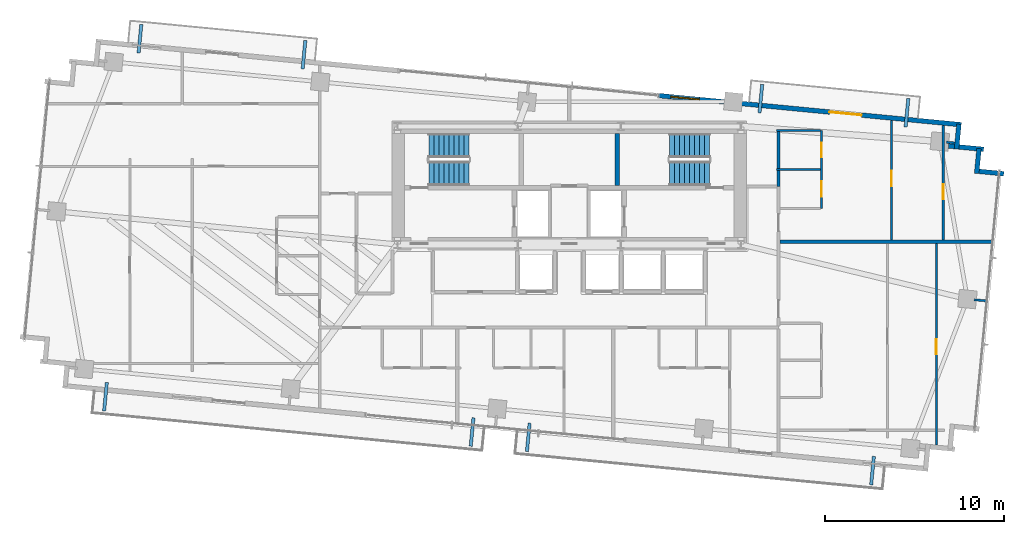
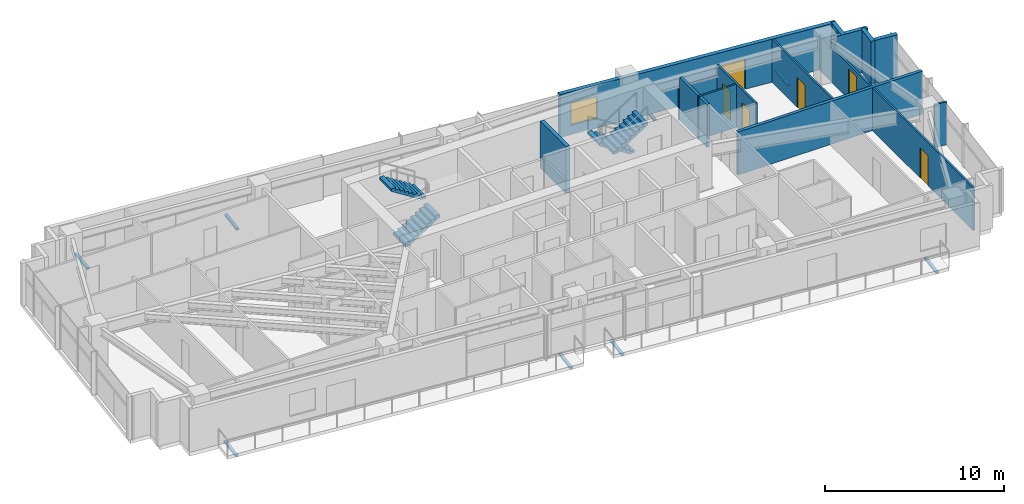
# One storey, part 17 of 19: 17 walls, 8 discrete accessories, 6 doors, 4 stair flights, 1 window, 7 openings, 2 elements without a shape of their own.
"""IFC4 building model written with IfcOpenShell, lengths in metres."""

import ifcopenshell
import ifcopenshell.guid

model = None  # the IFC model being written
_history = None  # IfcOwnerHistory: only IFC2X3 demands one
_inside = {}  # id of a spatial element -> (the spatial element, [elements in it])
_under = {}  # id of a project, library or spatial element -> (it, [spatial elements below it])
_declared = {}  # id of a project -> (the project, [libraries it declares])
_typed = {}  # id of a type object -> (the type object, [elements of that type])
_made_of = {}  # id of a material, layer set ... -> (it, [elements and type objects made of it])


def new_model(schema):
    """Start an empty IFC model of exactly this schema.

    Asked for "IFC4X3", IfcOpenShell would pick the latest addendum, in which some entities
    have other attributes; the version numbers below select the first issue.
    IFC2X3 requires an IfcOwnerHistory on every rooted entity: one is made here for all.
    """
    global model, _history
    if schema == "IFC4X3":
        model = ifcopenshell.file(schema_version=(4, 3, 0, 0))
    else:
        model = ifcopenshell.file(schema=schema)
    _inside.clear()
    _under.clear()
    _declared.clear()
    _typed.clear()
    _made_of.clear()
    _history = None
    if model.schema == "IFC2X3":
        org = make("IfcOrganization", Name="unknown")
        user = make(
            "IfcPersonAndOrganization",
            ThePerson=make("IfcPerson", FamilyName="unknown"),
            TheOrganization=org,
        )
        app = make(
            "IfcApplication",
            ApplicationDeveloper=org,
            Version="unknown",
            ApplicationFullName="unknown",
            ApplicationIdentifier="unknown",
        )
        _history = make(
            "IfcOwnerHistory",
            OwningUser=user,
            OwningApplication=app,
            ChangeAction="ADDED",
            CreationDate=0,
        )
    return model


def make(cls, **values):
    """One entity of the class cls with the attributes given. An attribute that is None is left unset."""
    return model.create_entity(
        cls, **{name: value for name, value in values.items() if value is not None}
    )


def rooted(cls, **values):
    """An entity with a GlobalId (a new one), such as an element, a storey or a relation."""
    return make(cls, GlobalId=ifcopenshell.guid.new(), OwnerHistory=_history, **values)


def si_unit(unit_type, name, prefix=None):
    """IfcSIUnit, for example si_unit("LENGTHUNIT", "METRE", prefix="MILLI")."""
    return make("IfcSIUnit", UnitType=unit_type, Prefix=prefix, Name=name)


def assignment(units):
    """IfcUnitAssignment: the units of a project."""
    return None if units is None else make("IfcUnitAssignment", Units=units)


def point(xyz):
    """IfcCartesianPoint."""
    return None if xyz is None else make("IfcCartesianPoint", Coordinates=xyz)


def direction(xyz):
    """IfcDirection."""
    return None if xyz is None else make("IfcDirection", DirectionRatios=xyz)


def frame(location, z_axis=None, x_axis=None):
    """IfcAxis2Placement3D, a coordinate frame: its origin and axes. An axis left out is left unset."""
    return make(
        "IfcAxis2Placement3D",
        Location=point(location),
        Axis=direction(z_axis),
        RefDirection=direction(x_axis),
    )


def frame_2d(location, x_axis=None):
    """IfcAxis2Placement2D, a coordinate frame in the plane: its origin and x axis."""
    return make(
        "IfcAxis2Placement2D", Location=point(location), RefDirection=direction(x_axis)
    )


def origin():
    """The frame at (0, 0, 0) with its axes left unset."""
    return frame((0.0, 0.0, 0.0))


def origin_2d():
    """The frame at (0, 0) in the plane with its x axis left unset."""
    return frame_2d((0.0, 0.0))


def place(relative_to, where):
    """IfcLocalPlacement: puts the frame where relative to a parent placement (None: the world)."""
    return make(
        "IfcLocalPlacement", PlacementRelTo=relative_to, RelativePlacement=where
    )


def context(
    kind, dimensions, precision=None, world=None, true_north=None, identifier=None
):
    """IfcGeometricRepresentationContext, for example the 3D "Model" context."""
    return make(
        "IfcGeometricRepresentationContext",
        ContextIdentifier=identifier,
        ContextType=kind,
        CoordinateSpaceDimension=dimensions,
        Precision=precision,
        WorldCoordinateSystem=world,
        TrueNorth=true_north,
    )


def subcontext(parent, identifier, kind, view, scale=None):
    """IfcGeometricRepresentationSubContext, for example "Body" below "Model"."""
    return make(
        "IfcGeometricRepresentationSubContext",
        ContextIdentifier=identifier,
        ContextType=kind,
        ParentContext=parent,
        TargetScale=scale,
        TargetView=view,
    )


def project(units=None, contexts=None):
    """IfcProject with its units and contexts."""
    return rooted(
        "IfcProject",
        Name="project",
        RepresentationContexts=contexts,
        UnitsInContext=assignment(units),
    )


def spatial(cls, under=None, at=None, **own):
    """A site, building, storey or space (cls), placed at a placement, below another one or the project."""
    s = rooted(cls, ObjectPlacement=at, **own)
    if under is not None:
        _under.setdefault(under.id(), (under, []))[1].append(s)
    return s


def polyline(points):
    """IfcPolyline through the points."""
    return make("IfcPolyline", Points=[point(p) for p in points])


def profile(cls, at=None, kind="AREA", **sizes):
    """A parametric profile (cls). Its sizes go by their IFC names, for example OverallWidth=200.0."""
    return make(cls, ProfileType=kind, Position=at, **sizes)


def rectangle(**sizes):
    """IfcRectangleProfileDef."""
    return profile("IfcRectangleProfileDef", **sizes)


def outline(outer, holes=None, kind="AREA"):
    """IfcArbitraryClosedProfileDef: a profile drawn as a closed curve; with holes, ...WithVoids."""
    if holes is None:
        return make("IfcArbitraryClosedProfileDef", ProfileType=kind, OuterCurve=outer)
    return make(
        "IfcArbitraryProfileDefWithVoids",
        ProfileType=kind,
        OuterCurve=outer,
        InnerCurves=holes,
    )


def extrude(swept, where, along, depth):
    """IfcExtrudedAreaSolid: the profile swept, set in the frame where, extruded along a direction by depth."""
    return make(
        "IfcExtrudedAreaSolid",
        SweptArea=swept,
        Position=where,
        ExtrudedDirection=direction(along),
        Depth=depth,
    )


def shape(context_of_items, identifier, shape_type, items):
    """IfcShapeRepresentation: the items that make up one representation, for example the "Body"."""
    return make(
        "IfcShapeRepresentation",
        ContextOfItems=context_of_items,
        RepresentationIdentifier=identifier,
        RepresentationType=shape_type,
        Items=items,
    )


def source(mapping_origin, context_of_items, identifier, shape_type, items):
    """IfcRepresentationMap: a shape defined once, which mapped items show again and again."""
    return make(
        "IfcRepresentationMap",
        MappingOrigin=mapping_origin,
        MappedRepresentation=shape(context_of_items, identifier, shape_type, items),
    )


def transform(
    local_origin,
    x_axis=None,
    y_axis=None,
    z_axis=None,
    scale=None,
    scale2=None,
    scale3=None,
    uniform=True,
):
    """IfcCartesianTransformationOperator3D, or its non-uniform kind. x_axis, y_axis, z_axis: its Axis1, 2, 3."""
    if uniform:
        return make(
            "IfcCartesianTransformationOperator3D",
            Axis1=direction(x_axis),
            Axis2=direction(y_axis),
            LocalOrigin=point(local_origin),
            Scale=scale,
            Axis3=direction(z_axis),
        )
    return make(
        "IfcCartesianTransformationOperator3DnonUniform",
        Axis1=direction(x_axis),
        Axis2=direction(y_axis),
        LocalOrigin=point(local_origin),
        Scale=scale,
        Axis3=direction(z_axis),
        Scale2=scale2,
        Scale3=scale3,
    )


def mapped(mapping_source, mapping_target):
    """IfcMappedItem: shows the shape of a source again, moved by a transform."""
    return make(
        "IfcMappedItem", MappingSource=mapping_source, MappingTarget=mapping_target
    )


def material(Name=None, Category=None):
    """IfcMaterial."""
    return make("IfcMaterial", Name=Name, Category=Category)


def layer(
    of_material, thickness, ventilated=None, Name=None, Category=None, Priority=None
):
    """IfcMaterialLayer: one layer of a wall or slab, of a material (None: an air gap)."""
    return make(
        "IfcMaterialLayer",
        Material=of_material,
        LayerThickness=thickness,
        IsVentilated=ventilated,
        Name=Name,
        Category=Category,
        Priority=Priority,
    )


def layer_set(layers, Name=None):
    """IfcMaterialLayerSet."""
    return make("IfcMaterialLayerSet", MaterialLayers=layers, LayerSetName=Name)


def made_of(thing, what):
    """Note that an element or type object is made of a material, layer set ...; save() writes the relation."""
    if what is not None:
        _made_of.setdefault(what.id(), (what, []))[1].append(thing)
    return thing


def type_object(cls, material=None, **own):
    """A type object (cls), such as IfcWallType, which elements share."""
    return made_of(rooted(cls, **own), material)


def type_shapes(of_type, sources):
    """Give a type object the sources (RepresentationMaps) that its elements show as mapped items."""
    of_type.RepresentationMaps = sources


def element(
    cls,
    number,
    at=None,
    inside=None,
    cuts=None,
    type_object=None,
    material=None,
    context=None,
    identifier="Body",
    shape_type=None,
    held_by="IfcProductDefinitionShape",
    body=None,
    shapes=None,
    **own,
):
    """One element of the class cls, such as IfcWall. Its Tag is "e" and its number.

    at: its placement. inside: the storey or other place that contains it. cuts: it is an
    opening in that element (IfcRelVoidsElement). A single representation is given by context,
    identifier, shape_type and body (its items); several are given by shapes. held_by: the class
    of the entity that holds the representations. save() writes the other relations.
    """
    e = rooted(cls, Tag="e%d" % number, ObjectPlacement=at, **own)
    if body is not None:
        shapes = [shape(context, identifier, shape_type, body)]
    if shapes is not None:
        e.Representation = make(held_by, Representations=shapes)
    if inside is not None:
        _inside.setdefault(inside.id(), (inside, []))[1].append(e)
    if cuts is not None:
        rooted(
            "IfcRelVoidsElement", RelatingBuildingElement=cuts, RelatedOpeningElement=e
        )
    if type_object is not None:
        _typed.setdefault(type_object.id(), (type_object, []))[1].append(e)
    return made_of(e, material)


def fill(opening, filler):
    """IfcRelFillsElement: the door or window that sits in an opening."""
    return rooted(
        "IfcRelFillsElement",
        RelatingOpeningElement=opening,
        RelatedBuildingElement=filler,
    )


def aggregate(whole, parts):
    """IfcRelAggregates: a whole, such as a stair, and the parts it consists of."""
    return rooted("IfcRelAggregates", RelatingObject=whole, RelatedObjects=parts)


def save(model, path):
    """Write the relations noted so far, then the file.

    IfcRelAggregates (storeys below a building ...), IfcRelContainedInSpatialStructure (elements
    in a storey), IfcRelDefinesByType, IfcRelAssociatesMaterial and IfcRelDeclares: one each for
    every whole, place, type object, material and project.
    """
    for whole, parts in _under.values():
        aggregate(whole, parts)
    for where, things in _inside.values():
        rooted(
            "IfcRelContainedInSpatialStructure",
            RelatedElements=things,
            RelatingStructure=where,
        )
    for kind, things in _typed.values():
        rooted("IfcRelDefinesByType", RelatedObjects=things, RelatingType=kind)
    for what, things in _made_of.values():
        rooted("IfcRelAssociatesMaterial", RelatedObjects=things, RelatingMaterial=what)
    for by, libraries in _declared.values():
        rooted("IfcRelDeclares", RelatingContext=by, RelatedDefinitions=libraries)
    model.write(path)


model = new_model("IFC4")

# Units and contexts
model_context = context("Model", 3, precision=1e-05, world=origin(), true_north=direction((0.0, 1.0)))
body_context = subcontext(model_context, "Body", "Model", "MODEL_VIEW")
ifc_project = project(units=[si_unit("LENGTHUNIT", "METRE"), si_unit("AREAUNIT", "SQUARE_METRE"), si_unit("VOLUMEUNIT", "CUBIC_METRE"), si_unit("PLANEANGLEUNIT", "RADIAN"), si_unit("MASSUNIT", "GRAM", prefix="KILO")], contexts=[model_context])

# Site, building, storey
site_placement = place(None, origin())
site = spatial("IfcSite", under=ifc_project, at=site_placement, CompositionType="ELEMENT")
building_placement = place(site_placement, origin())
building = spatial("IfcBuilding", under=site, at=building_placement, Name="Astriad Promenade Condominiums", CompositionType="ELEMENT")
storey_placement = place(building_placement, frame((0.0, 0.0, 147.0)))
storey = spatial("IfcBuildingStorey", under=building, at=storey_placement, Name="L42", CompositionType="ELEMENT", Elevation=147.0)

# Walls
ifc_material_1 = material(Name="Concrete C50/60", Category="concrete")
ifc_layer_1 = layer(ifc_material_1, 0.25)
ifc_layer_set_1 = layer_set([ifc_layer_1], Name="Concrete C50/60")
wall_type_1 = type_object("IfcWallType", Name="WALL-CORE-INT-250", PredefinedType="SOLIDWALL", material=ifc_layer_set_1)
wall_1_placement = place(storey_placement, frame((38.675048828125, 20.701904296875, 0.0), z_axis=(0.0, 0.0, 1.0), x_axis=(0.0, 1.0, 0.0)))
element("IfcWall", 1, at=wall_1_placement, inside=storey, type_object=wall_type_1, Name="CW-ST2-W-L42", PredefinedType="SOLIDWALL", context=body_context, shape_type="SweptSolid", body=[
    extrude(rectangle(XDim=2.89599609375, YDim=0.25, at=frame_2d((1.447998046875, 0.0))), origin(), (0.0, 0.0, 1.0), 3.199951171875),
])
ifc_material_2 = material(Name="Fire-Rated Gypsum Partition")
ifc_layer_2 = layer(ifc_material_2, 0.159912109375)
ifc_layer_set_2 = layer_set([ifc_layer_2], Name="Fire-Rated Gypsum Partition")
wall_type_2 = type_object("IfcWallType", Name="WALL-CORR-160", PredefinedType="PARTITIONING", material=ifc_layer_set_2)
wall_2_placement = place(storey_placement, frame((47.699951171875, 20.64990234375, 0.0), z_axis=(0.0, 0.0, 1.0), x_axis=(0.0, 1.0, 0.0)))
element("IfcWall", 2, at=wall_2_placement, inside=storey, type_object=wall_type_2, Name="PT-L42-E2-PBK", PredefinedType="PARTITIONING", context=body_context, shape_type="SweptSolid", body=[
    extrude(rectangle(XDim=0.883056640625, YDim=0.159912109375, at=frame_2d((0.44140625, 0.0))), origin(), (0.0, 0.0, 1.0), 2.93994140625),
])
wall_3_placement = place(storey_placement, frame((47.699951171875, 21.656982421875, 0.0), z_axis=(0.0, 0.0, 1.0), x_axis=(0.0, 1.0, 0.0)))
element("IfcWall", 3, at=wall_3_placement, inside=storey, type_object=wall_type_2, Name="PT-L42-E2-PBK-S2", PredefinedType="PARTITIONING", context=body_context, shape_type="SweptSolid", body=[
    extrude(rectangle(XDim=2.051025390625, YDim=0.159912109375, at=frame_2d((1.025390625, 0.0))), origin(), (0.0, 0.0, 1.0), 2.93994140625),
])
ifc_material_3 = material(Name="Acoustic Double-Stud Gypsum Partition")
ifc_layer_3 = layer(ifc_material_3, 0.199951171875)
ifc_layer_set_3 = layer_set([ifc_layer_3], Name="Acoustic Double-Stud Gypsum Partition")
wall_type_3 = type_object("IfcWallType", Name="WALL-DEMISING-200", PredefinedType="PARTITIONING", material=ifc_layer_set_3)
wall_4_placement = place(storey_placement, frame((47.781982421875, 17.550048828125, 0.0), z_axis=(0.0, 0.0, 1.0), x_axis=(1.0, 0.0, 0.0)))
element("IfcWall", 4, at=wall_4_placement, inside=storey, type_object=wall_type_3, Name="PT-DEM-EE-L42", PredefinedType="PARTITIONING", context=body_context, shape_type="SweptSolid", body=[
    extrude(rectangle(XDim=11.933837890625, YDim=0.199951171875, at=frame_2d((5.966796875, 0.0))), origin(), (0.0, 0.0, 1.0), 2.93994140625),
])

# Wall, openings, door, window
ifc_material_4 = material(Name="Precast concrete C50/60", Category="concrete")
ifc_layer_4 = layer(ifc_material_4, 0.260009765625)
ifc_layer_set_4 = layer_set([ifc_layer_4], Name="Precast concrete C50/60")
wall_type_4 = type_object("IfcWallType", Name="WALL-EXT-TWR-260", PredefinedType="STANDARD", material=ifc_layer_set_4)
wall_5_placement = place(storey_placement, frame((40.9833984375, 25.726806640625, 0.0), z_axis=(0.0, 0.0, 1.0), x_axis=(0.995395844771, -0.095849424686, 0.0)))
wall_5 = element("IfcWall", 5, at=wall_5_placement, inside=storey, type_object=wall_type_4, Name="W-EXT-L42-N2", PredefinedType="STANDARD", context=body_context, shape_type="SweptSolid", body=[
    extrude(rectangle(XDim=17.009765625, YDim=0.260009765625, at=frame_2d((8.5048828125, 0.0))), origin(), (0.0, 0.0, 1.0), 2.93994140625),
])
opening_1_placement = place(wall_5_placement, frame((9.610107421875, 0.0, 0.0)))
opening_1 = element("IfcOpeningElement", 6, at=opening_1_placement, cuts=wall_5, Name="Opening BD-1822-SLD", PredefinedType="OPENING", context=body_context, shape_type="SweptSolid", body=[
    extrude(rectangle(XDim=1.800048828125, YDim=2.06005859375, at=frame_2d((0.89990234375, 1.030029296875))), frame((0.0, 0.139892578125, 0.0), z_axis=(0.0, -1.0, 0.0), x_axis=(1.0, 0.0, 0.0)), (0.0, 0.0, 1.0), 0.280029296875),
])
opening_2_placement = place(wall_5_placement, frame((0.699951171875, 0.0, 0.64990234375)))
opening_2 = element("IfcOpeningElement", 7, at=opening_2_placement, cuts=wall_5, Name="Opening WIN-TWR-1620", PredefinedType="OPENING", context=body_context, shape_type="SweptSolid", body=[
    extrude(rectangle(XDim=1.60009765625, YDim=1.5, at=frame_2d((0.800048828125, 0.75))), frame((0.0, 0.139892578125, 0.0), z_axis=(0.0, -1.0, 0.0), x_axis=(1.0, 0.0, 0.0)), (0.0, 0.0, 1.0), 0.280029296875),
])
ifc_material_5 = material(Name="Thermally Broken Aluminium Sliding Balcony Door", Category="aluminium")
door_type_1 = type_object("IfcDoorType", Name="BD-1822-SLD", OperationType="NOTDEFINED", PredefinedType="DOOR", material=ifc_material_5)
shared_shape_1 = source(origin(), body_context, "Body", "SweptSolid", [
    extrude(rectangle(XDim=1.800048828125, YDim=2.06005859375, at=frame_2d((0.89990234375, 1.030029296875))), frame((0.0, 0.02490234375, 0.0), z_axis=(0.0, -1.0, 0.0), x_axis=(1.0, 0.0, 0.0)), (0.0, 0.0, 1.0), 0.050048828125),
])
type_shapes(door_type_1, [shared_shape_1])
door_1_placement = place(opening_1_placement, origin())
door_1 = element("IfcDoor", 8, at=door_1_placement, inside=storey, type_object=door_type_1, Name="BD-L42-NE", OperationType="SLIDING_TO_RIGHT", OverallHeight=2.06005859375, OverallWidth=1.800048828125, PredefinedType="DOOR", context=body_context, shape_type="MappedRepresentation", body=[
    mapped(shared_shape_1, transform((0.0, 0.0, 0.0), scale=1.0)),
])
fill(opening_1, door_1)
ifc_material_6 = material(Name="Dark Tinted Triple-Glazed Aluminium Window", Category="aluminium")
window_type = type_object("IfcWindowType", Name="WIN-TWR-1620", PartitioningType="SINGLE_PANEL", PredefinedType="WINDOW", material=ifc_material_6)
shared_shape_2 = source(origin(), body_context, "Body", "SweptSolid", [
    extrude(rectangle(XDim=1.60009765625, YDim=1.5, at=frame_2d((0.800048828125, 0.75))), frame((0.0, 0.030029296875, 0.0), z_axis=(0.0, -1.0, 0.0), x_axis=(1.0, 0.0, 0.0)), (0.0, 0.0, 1.0), 0.06005859375),
])
type_shapes(window_type, [shared_shape_2])
window_placement = place(opening_2_placement, origin())
window = element("IfcWindow", 9, at=window_placement, inside=storey, type_object=window_type, Name="WIN-L42-NE", OverallHeight=1.5, OverallWidth=1.60009765625, PartitioningType="SINGLE_PANEL", PredefinedType="WINDOW", context=body_context, shape_type="MappedRepresentation", body=[
    mapped(shared_shape_2, transform((0.0, 0.0, 0.0), scale=1.0)),
])
fill(opening_2, window)

# Walls
wall_6_placement = place(storey_placement, frame((57.787109375, 24.123779296875, 0.0), z_axis=(0.0, 0.0, 1.0), x_axis=(-0.095915846097, -0.995389446633, 0.0)))
element("IfcWall", 10, at=wall_6_placement, inside=storey, type_object=wall_type_4, Name="W-SER-L42-09", PredefinedType="STANDARD", context=body_context, shape_type="SweptSolid", body=[
    extrude(rectangle(XDim=1.394775390625, YDim=0.260009765625, at=frame_2d((0.697265625, 0.0))), origin(), (0.0, 0.0, 1.0), 2.93994140625),
])
wall_7_placement = place(storey_placement, frame((57.199951171875, 22.909423828125, 0.0), z_axis=(0.0, 0.0, 1.0), x_axis=(0.995401789159, -0.095787672171, 0.0)))
element("IfcWall", 11, at=wall_7_placement, inside=storey, type_object=wall_type_4, Name="W-SER-L42-10", PredefinedType="STANDARD", context=body_context, shape_type="SweptSolid", body=[
    extrude(rectangle(XDim=1.977783203125, YDim=0.260009765625, at=frame_2d((0.98876953125, 0.0))), origin(), (0.0, 0.0, 1.0), 2.93994140625),
])
for number, where, z_axis, x_axis, name in (
    (12, (58.91162109375, 22.759765625, 0.0), (0.0, 0.0, 1.0), (-0.096072523012, -0.995374336781, 0.0), "W-SER-L42-11"),
    (13, (58.904541015625, 21.489501953125, 0.0), (0.0, 0.0, 1.0), (0.995391056452, -0.09589913835, 0.0), "W-SER-L42-12"),
):
    element("IfcWall", number, at=place(storey_placement, frame(where, z_axis=z_axis, x_axis=x_axis)), inside=storey, type_object=wall_type_4, Name=name, PredefinedType="STANDARD", context=body_context, shape_type="SweptSolid", body=[
        extrude(rectangle(XDim=1.39501953125, YDim=0.260009765625, at=frame_2d((0.697509765625, 0.0))), origin(), (0.0, 0.0, 1.0), 2.93994140625),
    ])

# Wall, opening, door
ifc_material_7 = material(Name="Acoustic Metal-Stud Gypsum Partition")
ifc_layer_5 = layer(ifc_material_7, 0.1201171875)
ifc_layer_set_5 = layer_set([ifc_layer_5], Name="Acoustic Metal-Stud Gypsum Partition")
wall_type_5 = type_object("IfcWallType", Name="WALL-PART-120", PredefinedType="PARTITIONING", material=ifc_layer_set_5)
wall_8_placement = place(storey_placement, frame((56.52587890625, 6.189208984375, 0.0), z_axis=(0.0, 0.0, 1.0), x_axis=(0.0, 1.0, 0.0)))
wall_8 = element("IfcWall", 14, at=wall_8_placement, inside=storey, type_object=wall_type_5, Name="PT-L42-E1-B1", PredefinedType="PARTITIONING", context=body_context, shape_type="SweptSolid", body=[
    extrude(rectangle(XDim=11.2587890625, YDim=0.1201171875, at=frame_2d((5.62939453125, 0.0))), origin(), (0.0, 0.0, 1.0), 2.93994140625),
])
opening_3_placement = place(wall_8_placement, frame((5.06396484375, 0.0, 0.0)))
opening_3 = element("IfcOpeningElement", 15, at=opening_3_placement, cuts=wall_8, Name="Opening D-INT-085", PredefinedType="OPENING", context=body_context, shape_type="SweptSolid", body=[
    extrude(rectangle(XDim=0.85009765625, YDim=2.050048828125, at=frame_2d((0.425048828125, 1.02490234375))), frame((0.0, 0.070068359375, 0.0), z_axis=(0.0, -1.0, 0.0), x_axis=(1.0, 0.0, 0.0)), (0.0, 0.0, 1.0), 0.14013671875),
])
ifc_material_8 = material(Name="Painted Solid-Core Timber Room Door", Category="wood")
door_type_2 = type_object("IfcDoorType", Name="D-INT-085", OperationType="NOTDEFINED", PredefinedType="DOOR", material=ifc_material_8)
shared_shape_3 = source(origin(), body_context, "Body", "SweptSolid", [
    extrude(rectangle(XDim=0.85009765625, YDim=2.050048828125, at=frame_2d((0.425048828125, 1.02490234375))), frame((0.0, 0.02490234375, 0.0), z_axis=(0.0, -1.0, 0.0), x_axis=(1.0, 0.0, 0.0)), (0.0, 0.0, 1.0), 0.050048828125),
])
type_shapes(door_type_2, [shared_shape_3])
door_2_placement = place(opening_3_placement, origin())
door_2 = element("IfcDoor", 16, at=door_2_placement, inside=storey, type_object=door_type_2, Name="D-BD1-L42-E1", OperationType="SINGLE_SWING_LEFT", OverallHeight=2.050048828125, OverallWidth=0.85009765625, PredefinedType="DOOR", context=body_context, shape_type="MappedRepresentation", body=[
    mapped(shared_shape_3, transform((0.0, 0.0, 0.0), scale=1.0)),
])
fill(opening_3, door_2)

# Wall, openings, doors
wall_9_placement = place(storey_placement, frame((50.10009765625, 19.419921875, 0.0), z_axis=(0.0, 0.0, 1.0), x_axis=(0.0, 1.0, 0.0)))
wall_9 = element("IfcWall", 17, at=wall_9_placement, inside=storey, type_object=wall_type_5, Name="PT-L42-E2-PV", PredefinedType="PARTITIONING", context=body_context, shape_type="SweptSolid", body=[
    extrude(rectangle(XDim=4.35009765625, YDim=0.1201171875, at=frame_2d((2.175048828125, 0.0))), origin(), (0.0, 0.0, 1.0), 2.93994140625),
])
opening_4_placement = place(wall_9_placement, frame((0.6630859375, 0.0, 0.0)))
opening_4 = element("IfcOpeningElement", 18, at=opening_4_placement, cuts=wall_9, Name="Opening D-INT-085", PredefinedType="OPENING", context=body_context, shape_type="SweptSolid", body=[
    extrude(rectangle(XDim=0.85009765625, YDim=2.050048828125, at=frame_2d((0.425048828125, 1.02490234375))), frame((0.0, 0.070068359375, 0.0), z_axis=(0.0, -1.0, 0.0), x_axis=(1.0, 0.0, 0.0)), (0.0, 0.0, 1.0), 0.14013671875),
])
opening_5_placement = place(wall_9_placement, frame((2.862060546875, 0.0, 0.0)))
opening_5 = element("IfcOpeningElement", 19, at=opening_5_placement, cuts=wall_9, Name="Opening D-WET-080", PredefinedType="OPENING", context=body_context, shape_type="SweptSolid", body=[
    extrude(rectangle(XDim=0.800048828125, YDim=2.02001953125, at=frame_2d((0.39990234375, 1.010009765625))), frame((0.0, 0.070068359375, 0.0), z_axis=(0.0, -1.0, 0.0), x_axis=(1.0, 0.0, 0.0)), (0.0, 0.0, 1.0), 0.14013671875),
])
ifc_material_9 = material(Name="Moisture-Resistant Timber Bathroom Door", Category="wood")
door_type_3 = type_object("IfcDoorType", Name="D-WET-080", OperationType="NOTDEFINED", PredefinedType="DOOR", material=ifc_material_9)
shared_shape_4 = source(origin(), body_context, "Body", "SweptSolid", [
    extrude(rectangle(XDim=0.800048828125, YDim=2.02001953125, at=frame_2d((0.39990234375, 1.010009765625))), frame((0.0, 0.02490234375, 0.0), z_axis=(0.0, -1.0, 0.0), x_axis=(1.0, 0.0, 0.0)), (0.0, 0.0, 1.0), 0.050048828125),
])
type_shapes(door_type_3, [shared_shape_4])
door_3_placement = place(opening_5_placement, origin())
door_3 = element("IfcDoor", 20, at=door_3_placement, inside=storey, type_object=door_type_3, Name="D-BTH-L42-E2", OperationType="SINGLE_SWING_RIGHT", OverallHeight=2.02001953125, OverallWidth=0.800048828125, PredefinedType="DOOR", context=body_context, shape_type="MappedRepresentation", body=[
    mapped(shared_shape_4, transform((0.0, 0.0, 0.0), scale=1.0)),
])
fill(opening_5, door_3)
door_4_placement = place(opening_4_placement, origin())
door_4 = element("IfcDoor", 21, at=door_4_placement, inside=storey, type_object=door_type_2, Name="D-KIT-L42-E2", OperationType="SINGLE_SWING_LEFT", OverallHeight=2.050048828125, OverallWidth=0.85009765625, PredefinedType="DOOR", context=body_context, shape_type="MappedRepresentation", body=[
    mapped(shared_shape_3, transform((0.0, 0.0, 0.0), scale=1.0)),
])
fill(opening_4, door_4)

# Walls
wall_10_placement = place(storey_placement, frame((47.580078125, 21.594970703125, 0.0), z_axis=(0.0, 0.0, 1.0), x_axis=(1.0, 0.0, 0.0)))
element("IfcWall", 22, at=wall_10_placement, inside=storey, type_object=wall_type_5, Name="PT-L42-E2-PM", PredefinedType="PARTITIONING", context=body_context, shape_type="SweptSolid", body=[
    extrude(rectangle(XDim=2.4580078125, YDim=0.1201171875, at=frame_2d((1.22900390625, 0.0))), origin(), (0.0, 0.0, 1.0), 2.93994140625),
])
wall_11_placement = place(storey_placement, frame((47.580078125, 23.77001953125, 0.0), z_axis=(0.0, 0.0, 1.0), x_axis=(1.0, 0.0, 0.0)))
element("IfcWall", 23, at=wall_11_placement, inside=storey, type_object=wall_type_5, Name="PT-L42-E2-PN", PredefinedType="PARTITIONING", context=body_context, shape_type="SweptSolid", body=[
    extrude(rectangle(XDim=2.4580078125, YDim=0.1201171875, at=frame_2d((1.22900390625, 0.0))), origin(), (0.0, 0.0, 1.0), 2.215576171875),
])

# Wall, opening, door
wall_12_placement = place(storey_placement, frame((56.910888671875, 17.652099609375, 0.0), z_axis=(0.0, 0.0, 1.0), x_axis=(0.0, 1.0, 0.0)))
wall_12 = element("IfcWall", 24, at=wall_12_placement, inside=storey, type_object=wall_type_5, Name="PT-L42-E2-B1", PredefinedType="PARTITIONING", context=body_context, shape_type="SweptSolid", body=[
    extrude(rectangle(XDim=6.408447265625, YDim=0.1201171875, at=frame_2d((3.2041015625, 0.0))), origin(), (0.0, 0.0, 1.0), 2.382568359375),
])
opening_6_placement = place(wall_12_placement, frame((2.26611328125, 0.0, 0.0)))
opening_6 = element("IfcOpeningElement", 25, at=opening_6_placement, cuts=wall_12, Name="Opening D-INT-085", PredefinedType="OPENING", context=body_context, shape_type="SweptSolid", body=[
    extrude(rectangle(XDim=0.85009765625, YDim=2.050048828125, at=frame_2d((0.425048828125, 1.02490234375))), frame((0.0, 0.070068359375, 0.0), z_axis=(0.0, -1.0, 0.0), x_axis=(1.0, 0.0, 0.0)), (0.0, 0.0, 1.0), 0.14013671875),
])
door_5_placement = place(opening_6_placement, origin())
door_5 = element("IfcDoor", 26, at=door_5_placement, inside=storey, type_object=door_type_2, Name="D-BD1-L42-E2", OperationType="SINGLE_SWING_LEFT", OverallHeight=2.050048828125, OverallWidth=0.85009765625, PredefinedType="DOOR", context=body_context, shape_type="MappedRepresentation", body=[
    mapped(shared_shape_3, transform((0.0, 0.0, 0.0), scale=1.0)),
])
fill(opening_6, door_5)

wall_13_placement = place(storey_placement, frame((54.01611328125, 17.652099609375, 0.0), z_axis=(0.0, 0.0, 1.0), x_axis=(0.0, 1.0, 0.0)))
wall_13 = element("IfcWall", 27, at=wall_13_placement, inside=storey, type_object=wall_type_5, Name="PT-L42-E2-WDV1", PredefinedType="PARTITIONING", context=body_context, shape_type="SweptSolid", body=[
    extrude(rectangle(XDim=6.68701171875, YDim=0.1201171875, at=frame_2d((3.343505859375, 0.0))), origin(), (0.0, 0.0, 1.0), 2.93994140625),
])
opening_7_placement = place(wall_13_placement, frame((3.01611328125, 0.0, 0.0)))
opening_7 = element("IfcOpeningElement", 28, at=opening_7_placement, cuts=wall_13, Name="Opening D-INT-085", PredefinedType="OPENING", context=body_context, shape_type="SweptSolid", body=[
    extrude(rectangle(XDim=0.85009765625, YDim=2.050048828125, at=frame_2d((0.425048828125, 1.02490234375))), frame((0.0, 0.070068359375, 0.0), z_axis=(0.0, -1.0, 0.0), x_axis=(1.0, 0.0, 0.0)), (0.0, 0.0, 1.0), 0.14013671875),
])
door_6_placement = place(opening_7_placement, origin())
door_6 = element("IfcDoor", 29, at=door_6_placement, inside=storey, type_object=door_type_2, Name="D-WDV1-L42-E2", OperationType="SINGLE_SWING_RIGHT", OverallHeight=2.050048828125, OverallWidth=0.85009765625, PredefinedType="DOOR", context=body_context, shape_type="MappedRepresentation", body=[
    mapped(shared_shape_3, transform((0.0, 0.0, 0.0), scale=1.0)),
])
fill(opening_7, door_6)

# Walls
wall_14_placement = place(storey_placement, frame((57.09765625, 23.120361328125, 0.0), z_axis=(0.0, 0.0, 1.0), x_axis=(0.995384576284, -0.09596637586, 0.0)))
element("IfcWall", 30, at=wall_14_placement, inside=storey, type_object=wall_type_5, Name="PT-PIL-L42-PC10-17", PredefinedType="PARTITIONING", context=body_context, shape_type="SweptSolid", body=[
    extrude(rectangle(XDim=0.4580078125, YDim=0.1201171875, at=frame_2d((0.22900390625, 0.0))), origin(), (0.0, 0.0, 1.0), 2.93994140625),
])
wall_15_placement = place(storey_placement, frame((58.640380859375, 14.31201171875, 0.0), z_axis=(0.0, 0.0, 1.0), x_axis=(0.995377786728, -0.096036772582, 0.0)))
element("IfcWall", 31, at=wall_15_placement, inside=storey, type_object=wall_type_5, Name="PT-PIL-L42-PC12-19", PredefinedType="PARTITIONING", context=body_context, shape_type="SweptSolid", body=[
    extrude(rectangle(XDim=0.760009765625, YDim=0.1201171875, at=frame_2d((0.3798828125, 0.0))), origin(), (0.0, 0.0, 1.0), 2.93994140625),
])

# Stair, stair flights
stair_type = type_object("IfcStairType", Name="STR-CORE-1350", PredefinedType="HALF_TURN_STAIR", material=ifc_material_1)
stair_1_placement = place(storey_placement, origin())
stair_1 = element("IfcStair", 32, at=stair_1_placement, inside=storey, type_object=stair_type, Name="L42 Enclosed Core Exit Stair ST-1", PredefinedType="HALF_TURN_STAIR")
stair_flight_type = type_object("IfcStairFlightType", Name="SFL-CORE-1350", PredefinedType="STRAIGHT", material=ifc_material_1)
shared_shape_5 = source(origin(), body_context, "Body", "SweptSolid", [
    extrude(outline(polyline([(0.0, 0.0), (0.0, 0.177734375), (0.280029296875, 0.177734375), (0.280029296875, 0.35546875), (0.56005859375, 0.35546875), (0.56005859375, 0.533447265625), (0.840087890625, 0.533447265625), (0.840087890625, 0.711181640625), (1.1201171875, 0.711181640625), (1.1201171875, 0.888916015625), (1.39990234375, 0.888916015625), (1.39990234375, 1.066650390625), (1.679931640625, 1.066650390625), (1.679931640625, 1.244384765625), (1.9599609375, 1.244384765625), (1.9599609375, 1.422119140625), (2.239990234375, 1.422119140625), (2.239990234375, 1.60009765625), (2.239990234375, 1.24462890625), (0.27978515625, 0.0), (0.0, 0.0)])), frame((0.0, 0.675048828125, 0.0), z_axis=(0.0, -1.0, 0.0), x_axis=(1.0, 0.0, 0.0)), (0.0, 0.0, 1.0), 1.35009765625),
])
type_shapes(stair_flight_type, [shared_shape_5])
stair_flight_1_placement = place(storey_placement, frame((28.14990234375, 21.375, 0.0), z_axis=(0.0, 0.0, 1.0), x_axis=(1.0, 0.0, 0.0)))
stair_flight_1 = element("IfcStairFlight", 33, at=stair_flight_1_placement, type_object=stair_flight_type, Name="ST-1 flight 1", NumberOfRisers=9, NumberOfTreads=8, PredefinedType="STRAIGHT", RiserHeight=0.177777778, TreadLength=0.28, context=body_context, shape_type="MappedRepresentation", body=[
    mapped(shared_shape_5, transform((0.0, 0.0, 0.0), scale=1.0)),
])
stair_flight_2_placement = place(storey_placement, frame((30.389892578125, 22.925048828125, 1.60009765625), z_axis=(0.0, 0.0, 1.0), x_axis=(-1.0, 0.0, 0.0)))
stair_flight_2 = element("IfcStairFlight", 34, at=stair_flight_2_placement, type_object=stair_flight_type, Name="ST-1 flight 2", NumberOfRisers=9, NumberOfTreads=8, PredefinedType="STRAIGHT", RiserHeight=0.177777778, TreadLength=0.28, context=body_context, shape_type="MappedRepresentation", body=[
    mapped(shared_shape_5, transform((0.0, 0.0, 0.0), scale=1.0)),
])
aggregate(stair_1, [stair_flight_1, stair_flight_2])

stair_2_placement = place(storey_placement, origin())
stair_2 = element("IfcStair", 35, at=stair_2_placement, inside=storey, type_object=stair_type, Name="L42 Enclosed Core Exit Stair ST-2", PredefinedType="HALF_TURN_STAIR")
stair_flight_3_placement = place(storey_placement, frame((43.85009765625, 22.925048828125, 0.0), z_axis=(0.0, 0.0, 1.0), x_axis=(-1.0, 0.0, 0.0)))
stair_flight_3 = element("IfcStairFlight", 36, at=stair_flight_3_placement, type_object=stair_flight_type, Name="ST-2 flight 1", NumberOfRisers=9, NumberOfTreads=8, PredefinedType="STRAIGHT", RiserHeight=0.177777778, TreadLength=0.28, context=body_context, shape_type="MappedRepresentation", body=[
    mapped(shared_shape_5, transform((0.0, 0.0, 0.0), scale=1.0)),
])
stair_flight_4_placement = place(storey_placement, frame((41.610107421875, 21.375, 1.60009765625), z_axis=(0.0, 0.0, 1.0), x_axis=(1.0, 0.0, 0.0)))
stair_flight_4 = element("IfcStairFlight", 37, at=stair_flight_4_placement, type_object=stair_flight_type, Name="ST-2 flight 2", NumberOfRisers=9, NumberOfTreads=8, PredefinedType="STRAIGHT", RiserHeight=0.177777778, TreadLength=0.28, context=body_context, shape_type="MappedRepresentation", body=[
    mapped(shared_shape_5, transform((0.0, 0.0, 0.0), scale=1.0)),
])
aggregate(stair_2, [stair_flight_3, stair_flight_4])

# Discrete accessories
ifc_material_10 = material(Name="Steel ASTM A572 Grade 50", Category="steel")
discrete_accessory_type = type_object("IfcDiscreteAccessoryType", Name="STEEL BALCONY OUTRIGGER BRACKET", PredefinedType="BRACKET", material=ifc_material_10)
shared_shape_6 = source(origin(), body_context, "Body", "SweptSolid", [
    extrude(rectangle(XDim=1.60009765625, YDim=0.179931640625, at=origin_2d()), origin(), (0.0, 0.0, 1.0), 0.1220703125),
])
type_shapes(discrete_accessory_type, [shared_shape_6])
for number, where, z_axis, x_axis, name in (
    (38, (10.073486328125, 8.891845703125, -0.340087890625), (0.0, 0.0, 1.0), (-0.09584575252, -0.995396198367, 0.0), "Balcony Outrigger Bracket BAL-L42-SW-A"),
    (39, (30.569580078125, 6.918212890625, -0.340087890625), (0.0, 0.0, 1.0), (-0.09584575252, -0.995396198367, 0.0), "Balcony Outrigger Bracket BAL-L42-SW-B"),
    (40, (33.710205078125, 6.615966796875, -0.340087890625), (0.0, 0.0, 1.0), (-0.09584575252, -0.995396198367, 0.0), "Balcony Outrigger Bracket BAL-L42-SE-A"),
    (41, (52.955078125, 4.7626953125, -0.340087890625), (0.0, 0.0, 1.0), (-0.09584575252, -0.995396198367, 0.0), "Balcony Outrigger Bracket BAL-L42-SE-B"),
    (42, (12.0, 28.8994140625, -0.340087890625), (0.0, 0.0, 1.0), (0.09584575252, 0.995396198367, 0.0), "Balcony Outrigger Bracket BAL-L42-NW-A"),
    (43, (21.17138671875, 28.01611328125, -0.340087890625), (0.0, 0.0, 1.0), (0.09584575252, 0.995396198367, 0.0), "Balcony Outrigger Bracket BAL-L42-NW-B"),
    (44, (46.71337890625, 25.556884765625, -0.340087890625), (0.0, 0.0, 1.0), (0.09584575252, 0.995396198367, 0.0), "Balcony Outrigger Bracket BAL-L42-NE-A"),
    (45, (54.881591796875, 24.770263671875, -0.340087890625), (0.0, 0.0, 1.0), (0.09584575252, 0.995396198367, 0.0), "Balcony Outrigger Bracket BAL-L42-NE-B"),
):
    element("IfcDiscreteAccessory", number, at=place(storey_placement, frame(where, z_axis=z_axis, x_axis=x_axis)), inside=storey, type_object=discrete_accessory_type, Name=name, PredefinedType="BRACKET", context=body_context, shape_type="MappedRepresentation", body=[
        mapped(shared_shape_6, transform((0.0, 0.0, 0.0), scale=1.0)),
    ])

save(model, "model.ifc")
